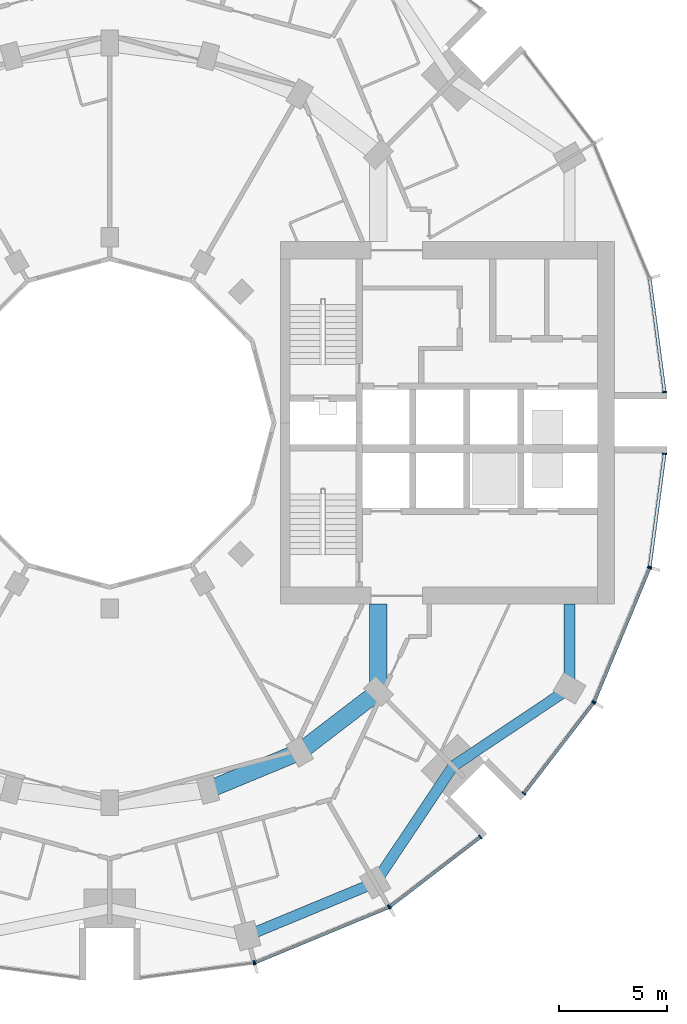
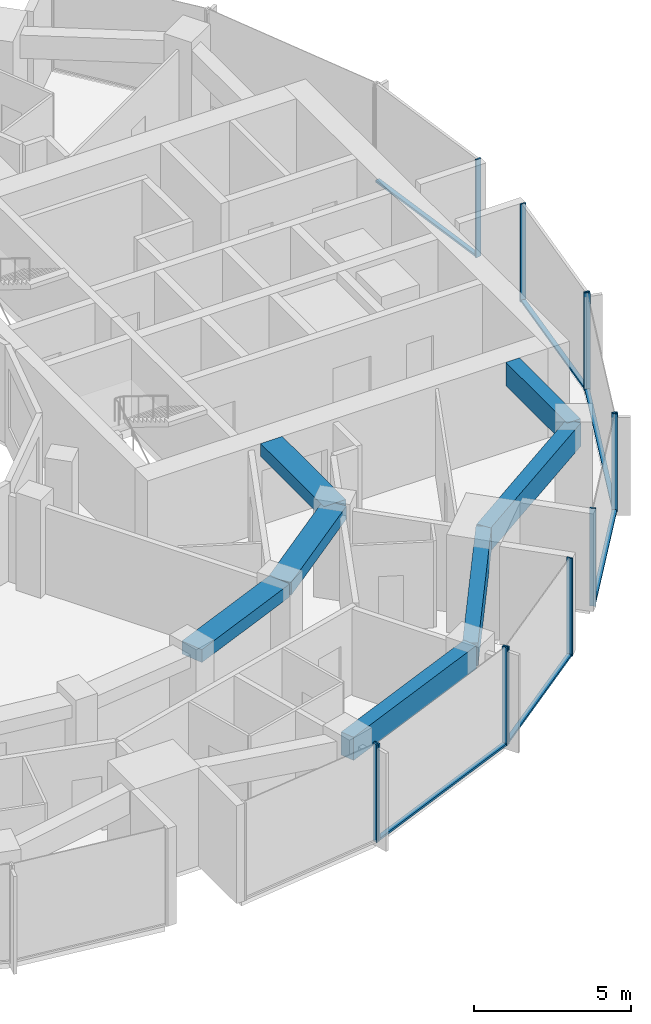
# One storey, part 4 of 15: 18 members, 7 beams, 7 elements without a shape of their own.
"""IFC4 building model written with IfcOpenShell, lengths in metres."""

from ifc_helpers import new_model, si_unit, direction, frame, origin, origin_2d, place, context, subcontext, project, spatial, rectangle, extrude, material, layer, layer_set, material_profile, profile_set, type_object, element, aggregate, save


model = new_model("IFC4")

# Units and contexts
model_context = context("Model", 3, precision=1e-05, world=origin(), true_north=direction((0.0, 1.0)))
body_context = subcontext(model_context, "Body", "Model", "MODEL_VIEW")
ifc_project = project(units=[si_unit("LENGTHUNIT", "METRE"), si_unit("AREAUNIT", "SQUARE_METRE"), si_unit("VOLUMEUNIT", "CUBIC_METRE"), si_unit("PLANEANGLEUNIT", "RADIAN"), si_unit("MASSUNIT", "GRAM", prefix="KILO")], contexts=[model_context])

# Site, building, storey
site_placement = place(None, origin())
site = spatial("IfcSite", under=ifc_project, at=site_placement, CompositionType="ELEMENT")
building_placement = place(site_placement, origin())
building = spatial("IfcBuilding", under=site, at=building_placement, Name="Torre Brocal", CompositionType="ELEMENT")
storey_placement = place(building_placement, frame((0.0, 0.0, 82.39990234375)))
storey = spatial("IfcBuildingStorey", under=building, at=storey_placement, Name="L18", CompositionType="ELEMENT", Elevation=82.39990234375)

# Curtain wall, member
ifc_material_1 = material(Name="Aluminium and glass", Category="aluminium")
ifc_layer_1 = layer(ifc_material_1, 0.199951171875)
ifc_layer_set_1 = layer_set([ifc_layer_1], Name="Aluminium and glass")
curtain_wall_type_1 = type_object("IfcCurtainWallType", Name="CW-1 CURTAIN WALL 3800 HIGH", PredefinedType="NOTDEFINED", material=ifc_layer_set_1)
curtain_wall_1_placement = place(storey_placement, origin())
curtain_wall_1 = element("IfcCurtainWall", 1, at=curtain_wall_1_placement, inside=storey, type_object=curtain_wall_type_1, Name="CW-1 RUN 19", PredefinedType="NOTDEFINED")
ifc_material_2 = material(Name="Aluminium, dark anodised", Category="aluminium")
ifc_material_profile_1 = material_profile(ifc_material_2, rectangle(XDim=0.199951171875, YDim=0.06005859375, at=origin_2d()), Name="CW-1 MULLION 60X200")
ifc_profile_set_1 = profile_set([ifc_material_profile_1], Name="Aluminium, dark anodised")
member_type_1 = type_object("IfcMemberType", Name="CW-1 MULLION 60X200", PredefinedType="MULLION", material=ifc_profile_set_1)
member_1_placement = place(storey_placement, frame((86.67333984375, 49.9794921875, 0.0), z_axis=(0.0, 0.0, 1.0), x_axis=(-0.13052619222, 0.991444861374, 0.0)))
member_1 = element("IfcMember", 2, at=member_1_placement, type_object=member_type_1, Name="CW1-1 mullion 2", PredefinedType="MULLION", context=body_context, shape_type="SweptSolid", body=[
    extrude(rectangle(XDim=0.199951171875, YDim=0.06005859375, at=origin_2d()), origin(), (0.0, 0.0, 1.0), 3.800048828125),
])
aggregate(curtain_wall_1, [member_1])

# Curtain wall, members
curtain_wall_2_placement = place(storey_placement, origin())
curtain_wall_2 = element("IfcCurtainWall", 3, at=curtain_wall_2_placement, inside=storey, type_object=curtain_wall_type_1, Name="CW-1 RUN 20", PredefinedType="NOTDEFINED")
member_2_placement = place(storey_placement, frame((86.73095703125, 49.994873046875, 0.0), z_axis=(0.0, 0.0, 1.0), x_axis=(-0.382683432333, 0.923879532525, 0.0)))
member_2 = element("IfcMember", 4, at=member_2_placement, type_object=member_type_1, Name="CW1-1 mullion 1", PredefinedType="MULLION", context=body_context, shape_type="SweptSolid", body=[
    extrude(rectangle(XDim=0.199951171875, YDim=0.06005859375, at=origin_2d()), origin(), (0.0, 0.0, 1.0), 3.800048828125),
])
member_3_placement = place(storey_placement, frame((92.921875, 52.559326171875, 0.0), z_axis=(0.0, 0.0, 1.0), x_axis=(-0.382683432333, 0.923879532525, 0.0)))
member_3 = element("IfcMember", 5, at=member_3_placement, type_object=member_type_1, Name="CW1-1 mullion 2", PredefinedType="MULLION", context=body_context, shape_type="SweptSolid", body=[
    extrude(rectangle(XDim=0.199951171875, YDim=0.06005859375, at=origin_2d()), origin(), (0.0, 0.0, 1.0), 3.800048828125),
])

curtain_wall_3_placement = place(storey_placement, origin())
curtain_wall_3 = element("IfcCurtainWall", 6, at=curtain_wall_3_placement, inside=storey, type_object=curtain_wall_type_1, Name="CW-1 RUN 21", PredefinedType="NOTDEFINED")
member_4_placement = place(storey_placement, frame((92.973388671875, 52.5888671875, 0.0), z_axis=(0.0, 0.0, 1.0), x_axis=(-0.60876142905, 0.793353340259, 0.0)))
member_4 = element("IfcMember", 7, at=member_4_placement, type_object=member_type_1, Name="CW1-1 mullion 1", PredefinedType="MULLION", context=body_context, shape_type="SweptSolid", body=[
    extrude(rectangle(XDim=0.199951171875, YDim=0.06005859375, at=origin_2d()), origin(), (0.0, 0.0, 1.0), 3.800048828125),
])
member_5_placement = place(storey_placement, frame((97.16943359375, 55.80859375, 0.0), z_axis=(0.0, 0.0, 1.0), x_axis=(-0.60876142905, 0.793353340259, 0.0)))
member_5 = element("IfcMember", 8, at=member_5_placement, type_object=member_type_1, Name="CW1-1 mullion 2", PredefinedType="MULLION", context=body_context, shape_type="SweptSolid", body=[
    extrude(rectangle(XDim=0.199951171875, YDim=0.06005859375, at=origin_2d()), origin(), (0.0, 0.0, 1.0), 3.800048828125),
])

curtain_wall_4_placement = place(storey_placement, origin())
curtain_wall_4 = element("IfcCurtainWall", 9, at=curtain_wall_4_placement, inside=storey, type_object=curtain_wall_type_1, Name="CW-1 RUN 22", PredefinedType="NOTDEFINED")
member_6_placement = place(storey_placement, frame((99.19140625, 57.83056640625, 0.0), z_axis=(0.0, 0.0, 1.0), x_axis=(-0.793353340259, 0.60876142905, 0.0)))
member_6 = element("IfcMember", 10, at=member_6_placement, type_object=member_type_1, Name="CW1-1 mullion 1", PredefinedType="MULLION", context=body_context, shape_type="SweptSolid", body=[
    extrude(rectangle(XDim=0.199951171875, YDim=0.06005859375, at=origin_2d()), origin(), (0.0, 0.0, 1.0), 3.800048828125),
])
member_7_placement = place(storey_placement, frame((102.4111328125, 62.026611328125, 0.0), z_axis=(0.0, 0.0, 1.0), x_axis=(-0.793353340259, 0.60876142905, 0.0)))
member_7 = element("IfcMember", 11, at=member_7_placement, type_object=member_type_1, Name="CW1-1 mullion 2", PredefinedType="MULLION", context=body_context, shape_type="SweptSolid", body=[
    extrude(rectangle(XDim=0.199951171875, YDim=0.06005859375, at=origin_2d()), origin(), (0.0, 0.0, 1.0), 3.800048828125),
])

curtain_wall_5_placement = place(storey_placement, origin())
curtain_wall_5 = element("IfcCurtainWall", 12, at=curtain_wall_5_placement, inside=storey, type_object=curtain_wall_type_1, Name="CW-1 RUN 23", PredefinedType="NOTDEFINED")
member_8_placement = place(storey_placement, frame((102.440673828125, 62.078125, 0.0), z_axis=(0.0, 0.0, 1.0), x_axis=(-0.923879532525, 0.382683432333, 0.0)))
member_8 = element("IfcMember", 13, at=member_8_placement, type_object=member_type_1, Name="CW1-1 mullion 1", PredefinedType="MULLION", context=body_context, shape_type="SweptSolid", body=[
    extrude(rectangle(XDim=0.199951171875, YDim=0.06005859375, at=origin_2d()), origin(), (0.0, 0.0, 1.0), 3.800048828125),
])
member_9_placement = place(storey_placement, frame((105.005126953125, 68.26904296875, 0.0), z_axis=(0.0, 0.0, 1.0), x_axis=(-0.923879532525, 0.382683432333, 0.0)))
member_9 = element("IfcMember", 14, at=member_9_placement, type_object=member_type_1, Name="CW1-1 mullion 2", PredefinedType="MULLION", context=body_context, shape_type="SweptSolid", body=[
    extrude(rectangle(XDim=0.199951171875, YDim=0.06005859375, at=origin_2d()), origin(), (0.0, 0.0, 1.0), 3.800048828125),
])

# Member
ifc_material_3 = material(Name="Aluminium, dark anodised", Category="aluminium")
ifc_material_profile_2 = material_profile(ifc_material_3, rectangle(XDim=0.159912109375, YDim=0.080078125, at=origin_2d()), Name="CW-1 TRANSOM 160X80")
ifc_profile_set_2 = profile_set([ifc_material_profile_2], Name="Aluminium, dark anodised")
member_type_2 = type_object("IfcMemberType", Name="CW-1 TRANSOM 160X80", PredefinedType="USERDEFINED", material=ifc_profile_set_2)
member_10_placement = place(storey_placement, frame((86.758544921875, 50.00634765625, 0.0400390625), z_axis=(0.923887344364, 0.38266457234, 0.0), x_axis=(-0.38266457234, 0.923887344364, 0.0)))
member_10 = element("IfcMember", 15, at=member_10_placement, type_object=member_type_2, Name="CW1-1 transom 1.1", ObjectType="TRANSOM", PredefinedType="USERDEFINED", context=body_context, shape_type="SweptSolid", body=[
    extrude(rectangle(XDim=0.159912109375, YDim=0.080078125, at=origin_2d()), origin(), (0.0, 0.0, 1.0), 6.640869140625),
])

aggregate(curtain_wall_2, [member_2, member_3, member_10])

member_11_placement = place(storey_placement, frame((92.9970703125, 52.607177734375, 0.0400390625), z_axis=(0.79336281513, 0.60874908096, 0.0), x_axis=(-0.60874908096, 0.79336281513, 0.0)))
member_11 = element("IfcMember", 16, at=member_11_placement, type_object=member_type_2, Name="CW1-1 transom 1.1", ObjectType="TRANSOM", PredefinedType="USERDEFINED", context=body_context, shape_type="SweptSolid", body=[
    extrude(rectangle(XDim=0.159912109375, YDim=0.080078125, at=origin_2d()), origin(), (0.0, 0.0, 1.0), 5.22900390625),
])

aggregate(curtain_wall_3, [member_4, member_5, member_11])

member_12_placement = place(storey_placement, frame((99.209716796875, 57.8544921875, 0.0400390625), z_axis=(0.60874908096, 0.79336281513, 0.0), x_axis=(-0.79336281513, 0.60874908096, 0.0)))
member_12 = element("IfcMember", 17, at=member_12_placement, type_object=member_type_2, Name="CW1-1 transom 1.1", ObjectType="TRANSOM", PredefinedType="USERDEFINED", context=body_context, shape_type="SweptSolid", body=[
    extrude(rectangle(XDim=0.159912109375, YDim=0.080078125, at=origin_2d()), origin(), (0.0, 0.0, 1.0), 5.22900390625),
])

aggregate(curtain_wall_4, [member_6, member_7, member_12])

member_13_placement = place(storey_placement, frame((102.452392578125, 62.10595703125, 0.0400390625), z_axis=(0.38266457234, 0.923887344364, 0.0), x_axis=(-0.923887344364, 0.38266457234, 0.0)))
member_13 = element("IfcMember", 18, at=member_13_placement, type_object=member_type_2, Name="CW1-1 transom 1.1", ObjectType="TRANSOM", PredefinedType="USERDEFINED", context=body_context, shape_type="SweptSolid", body=[
    extrude(rectangle(XDim=0.159912109375, YDim=0.080078125, at=origin_2d()), origin(), (0.0, 0.0, 1.0), 6.640869140625),
])

aggregate(curtain_wall_5, [member_8, member_9, member_13])

# Curtain wall, member
ifc_material_4 = material(Name="Aluminium and glass", Category="aluminium")
ifc_layer_2 = layer(ifc_material_4, 0.199951171875)
ifc_layer_set_2 = layer_set([ifc_layer_2], Name="Aluminium and glass")
curtain_wall_type_2 = type_object("IfcCurtainWallType", Name="CW-1B CURTAIN WALL 3800 HIGH", PredefinedType="NOTDEFINED", material=ifc_layer_set_2)
curtain_wall_6_placement = place(storey_placement, origin())
curtain_wall_6 = element("IfcCurtainWall", 19, at=curtain_wall_6_placement, inside=storey, type_object=curtain_wall_type_2, Name="CW-1B RUN 1", PredefinedType="NOTDEFINED")
ifc_material_5 = material(Name="Aluminium, dark anodised", Category="aluminium")
ifc_material_profile_3 = material_profile(ifc_material_5, rectangle(XDim=0.199951171875, YDim=0.06005859375, at=origin_2d()), Name="CW-1B MULLION 60X200")
ifc_profile_set_3 = profile_set([ifc_material_profile_3], Name="Aluminium, dark anodised")
member_type_3 = type_object("IfcMemberType", Name="CW-1B MULLION 60X200", PredefinedType="MULLION", material=ifc_profile_set_3)
member_14_placement = place(storey_placement, frame((105.7109375, 76.4296875, 0.0), z_axis=(0.0, 0.0, 1.0), x_axis=(-0.991444861374, -0.13052619222, 0.0)))
member_14 = element("IfcMember", 20, at=member_14_placement, type_object=member_type_3, Name="CW1B-1 mullion 1", PredefinedType="MULLION", context=body_context, shape_type="SweptSolid", body=[
    extrude(rectangle(XDim=0.199951171875, YDim=0.06005859375, at=origin_2d()), origin(), (0.0, 0.0, 1.0), 3.800048828125),
])

# Curtain wall, members
curtain_wall_7_placement = place(storey_placement, origin())
curtain_wall_7 = element("IfcCurtainWall", 21, at=curtain_wall_7_placement, inside=storey, type_object=curtain_wall_type_2, Name="CW-1B RUN 24", PredefinedType="NOTDEFINED")
member_15_placement = place(storey_placement, frame((105.0205078125, 68.32666015625, 0.0), z_axis=(0.0, 0.0, 1.0), x_axis=(-0.991444861374, 0.13052619222, 0.0)))
member_15 = element("IfcMember", 22, at=member_15_placement, type_object=member_type_3, Name="CW1B-1 mullion 1", PredefinedType="MULLION", context=body_context, shape_type="SweptSolid", body=[
    extrude(rectangle(XDim=0.199951171875, YDim=0.06005859375, at=origin_2d()), origin(), (0.0, 0.0, 1.0), 3.800048828125),
])
member_16_placement = place(storey_placement, frame((105.7109375, 73.5703125, 0.0), z_axis=(0.0, 0.0, 1.0), x_axis=(-0.991444861374, 0.13052619222, 0.0)))
member_16 = element("IfcMember", 23, at=member_16_placement, type_object=member_type_3, Name="CW1B-1 mullion 2", PredefinedType="MULLION", context=body_context, shape_type="SweptSolid", body=[
    extrude(rectangle(XDim=0.199951171875, YDim=0.06005859375, at=origin_2d()), origin(), (0.0, 0.0, 1.0), 3.800048828125),
])

# Member
ifc_material_6 = material(Name="Aluminium, dark anodised", Category="aluminium")
ifc_material_profile_4 = material_profile(ifc_material_6, rectangle(XDim=0.159912109375, YDim=0.080078125, at=origin_2d()), Name="CW-1B TRANSOM 160X80")
ifc_profile_set_4 = profile_set([ifc_material_profile_4], Name="Aluminium, dark anodised")
member_type_4 = type_object("IfcMemberType", Name="CW-1B TRANSOM 160X80", PredefinedType="USERDEFINED", material=ifc_profile_set_4)
member_17_placement = place(storey_placement, frame((105.70703125, 76.45947265625, 0.0400390625), z_axis=(-0.130542677827, 0.991442690863, 0.0), x_axis=(-0.991442690863, -0.130542677827, 0.0)))
member_17 = element("IfcMember", 24, at=member_17_placement, type_object=member_type_4, Name="CW1B-1 transom 1.1", ObjectType="TRANSOM", PredefinedType="USERDEFINED", context=body_context, shape_type="SweptSolid", body=[
    extrude(rectangle(XDim=0.159912109375, YDim=0.080078125, at=origin_2d()), origin(), (0.0, 0.0, 1.0), 5.22900390625),
])

aggregate(curtain_wall_6, [member_14, member_17])

member_18_placement = place(storey_placement, frame((105.0244140625, 68.356201171875, 0.0400390625), z_axis=(0.130542677827, 0.991442690863, 0.0), x_axis=(-0.991442690863, 0.130542677827, 0.0)))
member_18 = element("IfcMember", 25, at=member_18_placement, type_object=member_type_4, Name="CW1B-1 transom 1.1", ObjectType="TRANSOM", PredefinedType="USERDEFINED", context=body_context, shape_type="SweptSolid", body=[
    extrude(rectangle(XDim=0.159912109375, YDim=0.080078125, at=origin_2d()), origin(), (0.0, 0.0, 1.0), 5.22900390625),
])

aggregate(curtain_wall_7, [member_15, member_16, member_18])

# Beams
ifc_material_7 = material(Name="Concrete C50", Category="concrete")
ifc_material_profile_5 = material_profile(ifc_material_7, rectangle(XDim=0.800048828125, YDim=0.5, at=origin_2d()), Name="RC 800X500")
ifc_profile_set_5 = profile_set([ifc_material_profile_5], Name="Concrete C50")
beam_type_1 = type_object("IfcBeamType", Name="RC BEAM 800X500 C50 TOP 3480", PredefinedType="BEAM", material=ifc_profile_set_5)
beam_1_placement = place(storey_placement, frame((84.55517578125, 57.999755859375, 3.22998046875), z_axis=(0.923878240166, 0.382686552348, 0.0), x_axis=(-0.382686552348, 0.923878240166, 0.0)))
element("IfcBeam", 26, at=beam_1_placement, inside=storey, type_object=beam_type_1, Name="Beam BT-19", PredefinedType="BEAM", context=body_context, shape_type="SweptSolid", body=[
    extrude(rectangle(XDim=0.800048828125, YDim=0.5, at=origin_2d()), origin(), (0.0, 0.0, 1.0), 4.5947265625),
])
beam_2_placement = place(storey_placement, frame((88.800048828125, 59.758056640625, 3.22998046875), z_axis=(0.793358265959, 0.6087550097, 0.0), x_axis=(-0.6087550097, 0.793358265959, 0.0)))
element("IfcBeam", 27, at=beam_2_placement, inside=storey, type_object=beam_type_1, Name="Beam BT-19", PredefinedType="BEAM", context=body_context, shape_type="SweptSolid", body=[
    extrude(rectangle(XDim=0.800048828125, YDim=0.5, at=origin_2d()), origin(), (0.0, 0.0, 1.0), 4.594482421875),
])
beam_3_placement = place(storey_placement, frame((92.445068359375, 62.554931640625, 3.22998046875), z_axis=(0.0, 1.0, 0.0), x_axis=(-1.0, 0.0, 0.0)))
element("IfcBeam", 28, at=beam_3_placement, inside=storey, type_object=beam_type_1, Name="Beam BT-19", PredefinedType="BEAM", context=body_context, shape_type="SweptSolid", body=[
    extrude(rectangle(XDim=0.800048828125, YDim=0.5, at=origin_2d()), origin(), (0.0, 0.0, 1.0), 4.045166015625),
])
ifc_material_8 = material(Name="Concrete C50", Category="concrete")
ifc_material_profile_6 = material_profile(ifc_material_8, rectangle(XDim=0.5, YDim=0.89990234375, at=origin_2d()), Name="RC 500X900")
ifc_profile_set_6 = profile_set([ifc_material_profile_6], Name="Concrete C50")
beam_type_2 = type_object("IfcBeamType", Name="RC SPANDREL BEAM 500X900 C50 TOP 3480", PredefinedType="SPANDREL", material=ifc_profile_set_6)
beam_4_placement = place(storey_placement, frame((86.366943359375, 51.23828125, 3.030029296875), z_axis=(0.923882462513, 0.382676358639, 0.0), x_axis=(-0.382676358639, 0.923882462513, 0.0)))
element("IfcBeam", 29, at=beam_4_placement, inside=storey, type_object=beam_type_2, Name="Beam BT-20", PredefinedType="SPANDREL", context=body_context, shape_type="SweptSolid", body=[
    extrude(rectangle(XDim=0.5, YDim=0.89990234375, at=origin_2d()), origin(), (0.0, 0.0, 1.0), 6.421875),
])
for number, where, z_axis, x_axis, name in (
    (30, (92.300048828125, 53.69580078125, 3.030029296875), (0.556157602282, 0.831076844476, 0.0), (-0.831076844476, 0.556157602282, 0.0), "Beam BT-20"),
    (31, (95.909912109375, 59.090087890625, 3.030029296875), (0.831076844476, 0.556157602282, 0.0), (-0.556157602282, 0.831076844476, 0.0), "Beam BT-20"),
):
    element("IfcBeam", number, at=place(storey_placement, frame(where, z_axis=z_axis, x_axis=x_axis)), inside=storey, type_object=beam_type_2, Name=name, PredefinedType="SPANDREL", context=body_context, shape_type="SweptSolid", body=[
        extrude(rectangle(XDim=0.5, YDim=0.89990234375, at=origin_2d()), origin(), (0.0, 0.0, 1.0), 6.49072265625),
    ])
beam_5_placement = place(storey_placement, frame((101.30419921875, 62.699951171875, 3.030029296875), z_axis=(0.0, 1.0, 0.0), x_axis=(-1.0, 0.0, 0.0)))
element("IfcBeam", 32, at=beam_5_placement, inside=storey, type_object=beam_type_2, Name="Beam BT-20", PredefinedType="SPANDREL", context=body_context, shape_type="SweptSolid", body=[
    extrude(rectangle(XDim=0.5, YDim=0.89990234375, at=origin_2d()), origin(), (0.0, 0.0, 1.0), 3.900146484375),
])

save(model, "model.ifc")
